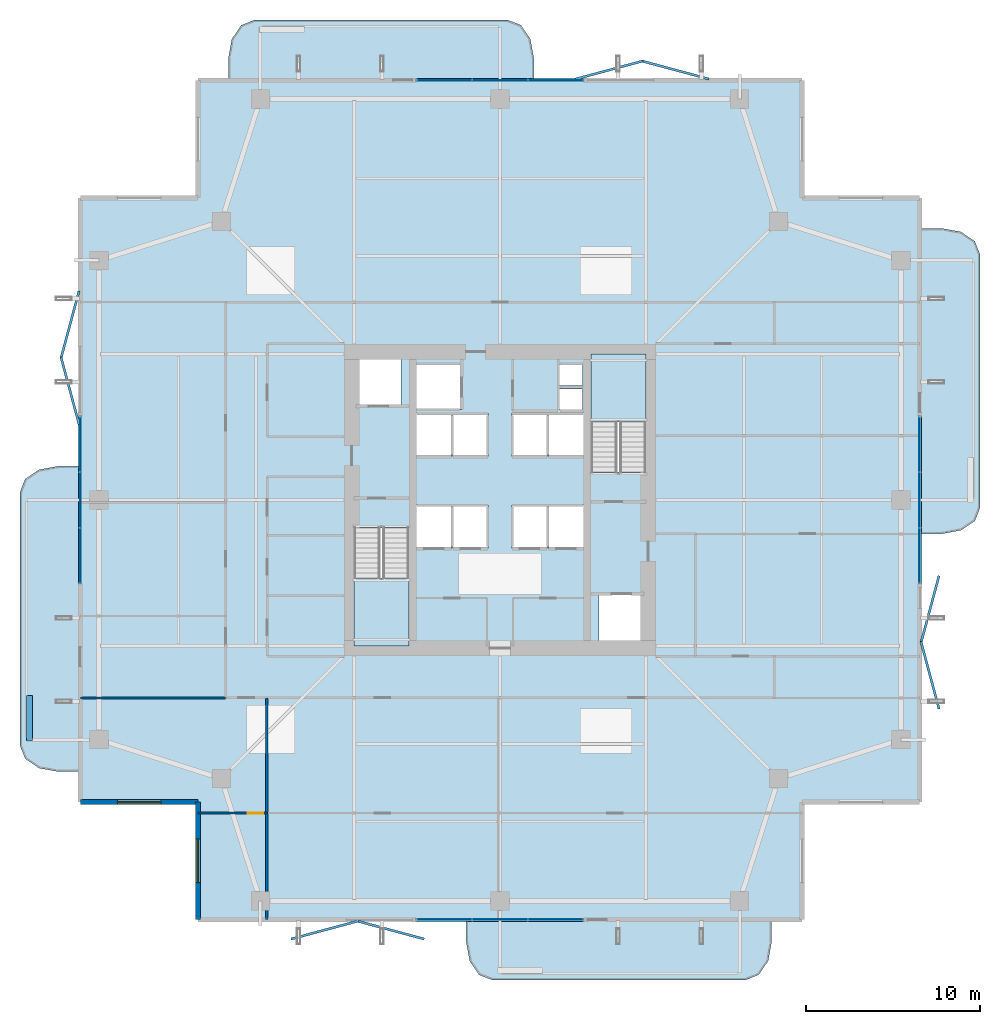
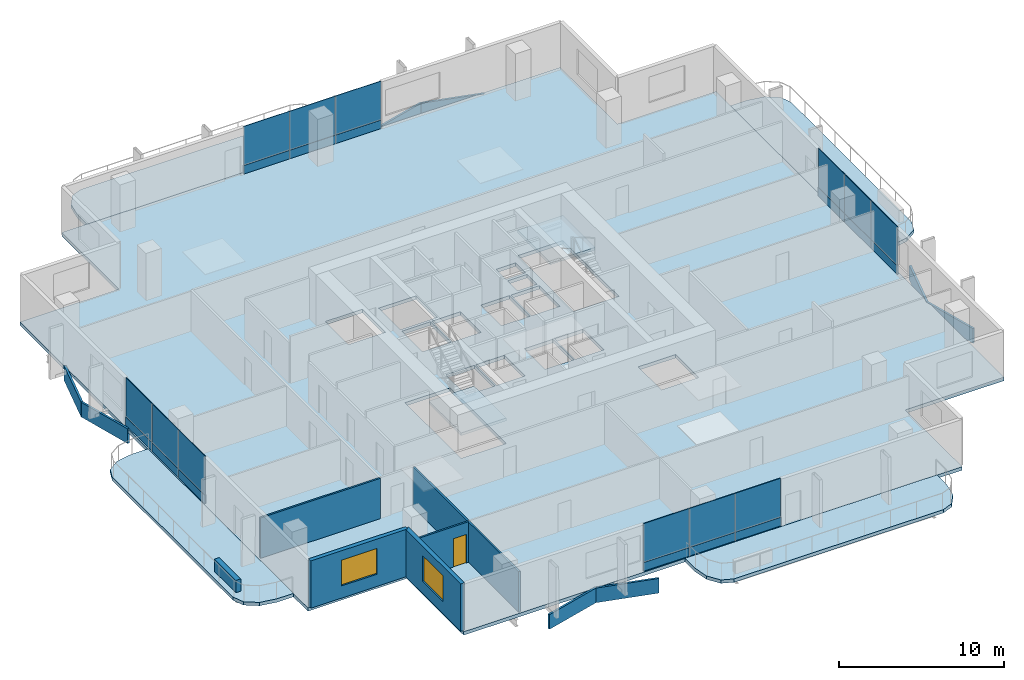
# One storey, part 17 of 24: 32 plates, 7 slabs, 6 walls, 2 windows, 1 door, 3 openings, 6 elements without a shape of their own.
"""IFC4 building model written with IfcOpenShell, lengths in metres."""

from ifc_helpers import new_model, si_unit, direction, frame, frame_2d, origin, origin_2d, place, context, subcontext, project, spatial, polyline, rectangle, outline, extrude, material, layer, layer_set, type_object, element, fill, aggregate, save


model = new_model("IFC4")

# Units and contexts
model_context = context("Model", 3, precision=1e-05, world=origin(), true_north=direction((0.0, 1.0)))
body_context = subcontext(model_context, "Body", "Model", "MODEL_VIEW")
ifc_project = project(units=[si_unit("LENGTHUNIT", "METRE"), si_unit("AREAUNIT", "SQUARE_METRE"), si_unit("VOLUMEUNIT", "CUBIC_METRE"), si_unit("PLANEANGLEUNIT", "RADIAN"), si_unit("MASSUNIT", "GRAM", prefix="KILO")], contexts=[model_context])

# Site, building, storey
site_placement = place(None, origin())
site = spatial("IfcSite", under=ifc_project, at=site_placement, CompositionType="ELEMENT")
building_placement = place(site_placement, origin())
building = spatial("IfcBuilding", under=site, at=building_placement, Name="Belovzor Exchange Tower", CompositionType="ELEMENT")
storey_placement = place(building_placement, frame((0.0, 0.0, 179.550048828125)))
storey = spatial("IfcBuildingStorey", under=building, at=storey_placement, Name="L44", CompositionType="ELEMENT", Elevation=179.550048828125)

# Slab
ifc_material_1 = material(Name="Concrete C40/50", Category="concrete")
ifc_layer_1 = layer(ifc_material_1, 0.2548828125)
ifc_layer_set_1 = layer_set([ifc_layer_1], Name="Concrete C40/50")
slab_type_1 = type_object("IfcSlabType", Name="Composite Waist Floor Deck Slab 255", PredefinedType="FLOOR", material=ifc_layer_set_1)
slab_1_placement = place(storey_placement, frame((0.0, 0.0, -0.255126953125)))
element("IfcSlab", 1, at=slab_1_placement, inside=storey, type_object=slab_type_1, Name="SL-F255 Structural Slab L44", PredefinedType="FLOOR", context=body_context, shape_type="SweptSolid", body=[
    extrude(outline(polyline([(11.39990234375, 4.5), (46.199951171875, 4.5), (46.199951171875, 11.39990234375), (53.10009765625, 11.39990234375), (53.10009765625, 46.199951171875), (46.199951171875, 46.199951171875), (46.199951171875, 53.10009765625), (11.39990234375, 53.10009765625), (11.39990234375, 46.199951171875), (4.5, 46.199951171875), (4.5, 11.39990234375), (11.39990234375, 11.39990234375), (11.39990234375, 4.5)]), holes=[polyline([(20.39990234375, 27.175048828125), (20.39990234375, 20.39990234375), (23.550048828125, 20.39990234375), (23.550048828125, 27.175048828125), (20.39990234375, 27.175048828125)]), polyline([(37.199951171875, 30.425048828125), (37.199951171875, 37.199951171875), (34.050048828125, 37.199951171875), (34.050048828125, 30.425048828125), (37.199951171875, 30.425048828125)]), polyline([(20.5, 34.199951171875), (23.10009765625, 34.199951171875), (23.10009765625, 37.0), (20.5, 37.0), (20.5, 34.199951171875)]), polyline([(34.5, 20.60009765625), (37.10009765625, 20.60009765625), (37.10009765625, 23.39990234375), (34.5, 23.39990234375), (34.5, 20.60009765625)]), polyline([(24.0, 34.0), (26.60009765625, 34.0), (26.60009765625, 36.60009765625), (24.0, 36.60009765625), (24.0, 34.0)]), polyline([(24.0, 26.0), (26.0, 26.0), (26.0, 28.5), (24.0, 28.5), (24.0, 26.0)]), polyline([(26.10009765625, 26.0), (28.10009765625, 26.0), (28.10009765625, 28.5), (26.10009765625, 28.5), (26.10009765625, 26.0)]), polyline([(29.5, 26.0), (31.5, 26.0), (31.5, 28.5), (29.5, 28.5), (29.5, 26.0)]), polyline([(31.60009765625, 26.0), (33.60009765625, 26.0), (33.60009765625, 28.5), (31.60009765625, 28.5), (31.60009765625, 26.0)]), polyline([(24.0, 31.300048828125), (26.0, 31.300048828125), (26.0, 33.800048828125), (24.0, 33.800048828125), (24.0, 31.300048828125)]), polyline([(26.10009765625, 31.300048828125), (28.10009765625, 31.300048828125), (28.10009765625, 33.800048828125), (26.10009765625, 33.800048828125), (26.10009765625, 31.300048828125)]), polyline([(29.5, 31.300048828125), (31.5, 31.300048828125), (31.5, 33.800048828125), (29.5, 33.800048828125), (29.5, 31.300048828125)]), polyline([(31.60009765625, 31.300048828125), (33.60009765625, 31.300048828125), (33.60009765625, 33.800048828125), (31.60009765625, 33.800048828125), (31.60009765625, 31.300048828125)]), polyline([(32.199951171875, 34.0), (33.550048828125, 34.0), (33.550048828125, 35.199951171875), (32.199951171875, 35.199951171875), (32.199951171875, 34.0)]), polyline([(32.199951171875, 35.39990234375), (33.550048828125, 35.39990234375), (33.550048828125, 36.60009765625), (32.199951171875, 36.60009765625), (32.199951171875, 35.39990234375)])]), origin(), (0.0, 0.0, 1.0), 0.255126953125),
])

# Curtain wall, plates
ifc_material_2 = material(Name="Anodised Aluminium Framing", Category="aluminium")
ifc_layer_2 = layer(ifc_material_2, 0.179931640625)
ifc_layer_set_2 = layer_set([ifc_layer_2], Name="Anodised Aluminium Framing")
curtain_wall_type = type_object("IfcCurtainWallType", Name="Recessed Loggia Low-Iron Triple-Glazed Curtain Wall", PredefinedType="NOTDEFINED", material=ifc_layer_set_2)
curtain_wall_1_placement = place(storey_placement, origin())
curtain_wall_1 = element("IfcCurtainWall", 2, at=curtain_wall_1_placement, inside=storey, type_object=curtain_wall_type, Name="CW3 Recessed Loggia Low-Iron Triple-Glazed Curtain Wall L44", PredefinedType="NOTDEFINED")
ifc_material_3 = material(Name="Solar-Control Triple Glazing", Category="glass")
ifc_layer_3 = layer(ifc_material_3, 0.0439453125)
ifc_layer_set_3 = layer_set([ifc_layer_3], Name="Solar-Control Triple Glazing")
plate_type_1 = type_object("IfcPlateType", Name="Insulated Solar Glazing Curtain Panel 44", PredefinedType="CURTAIN_PANEL", material=ifc_layer_set_3)
plate_1_placement = place(storey_placement, frame((32.0, 4.6298828125, 0.630859375), z_axis=(0.0, 0.0, 1.0), x_axis=(-1.0, 0.0, 0.0)))
plate_1 = element("IfcPlate", 3, at=plate_1_placement, type_object=plate_type_1, Name="GLZ-44 Glazed Curtain Panel 1", PredefinedType="CURTAIN_PANEL", context=body_context, shape_type="SweptSolid", body=[
    extrude(rectangle(XDim=3.18408203125, YDim=0.0439453125, at=origin_2d()), origin(), (0.0, 0.0, 1.0), 2.864013671875),
])
plate_2_placement = place(storey_placement, frame((28.800048828125, 4.6298828125, 0.630859375), z_axis=(0.0, 0.0, 1.0), x_axis=(-1.0, 0.0, 0.0)))
plate_2 = element("IfcPlate", 4, at=plate_2_placement, type_object=plate_type_1, Name="GLZ-44 Glazed Curtain Panel 2", PredefinedType="CURTAIN_PANEL", context=body_context, shape_type="SweptSolid", body=[
    extrude(rectangle(XDim=3.18408203125, YDim=0.0439453125, at=origin_2d()), origin(), (0.0, 0.0, 1.0), 2.864013671875),
])
plate_3_placement = place(storey_placement, frame((25.60009765625, 4.6298828125, 0.630859375), z_axis=(0.0, 0.0, 1.0), x_axis=(-1.0, 0.0, 0.0)))
plate_3 = element("IfcPlate", 5, at=plate_3_placement, type_object=plate_type_1, Name="GLZ-44 Glazed Curtain Panel 3", PredefinedType="CURTAIN_PANEL", context=body_context, shape_type="SweptSolid", body=[
    extrude(rectangle(XDim=3.18408203125, YDim=0.0439453125, at=origin_2d()), origin(), (0.0, 0.0, 1.0), 2.864013671875),
])

curtain_wall_2_placement = place(storey_placement, origin())
curtain_wall_2 = element("IfcCurtainWall", 6, at=curtain_wall_2_placement, inside=storey, type_object=curtain_wall_type, Name="CW3 Recessed Loggia Low-Iron Triple-Glazed Curtain Wall L44", PredefinedType="NOTDEFINED")
plate_4_placement = place(storey_placement, frame((25.60009765625, 52.969970703125, 0.630859375), z_axis=(0.0, 0.0, 1.0), x_axis=(1.0, 0.0, 0.0)))
plate_4 = element("IfcPlate", 7, at=plate_4_placement, type_object=plate_type_1, Name="GLZ-44 Glazed Curtain Panel 1", PredefinedType="CURTAIN_PANEL", context=body_context, shape_type="SweptSolid", body=[
    extrude(rectangle(XDim=3.18408203125, YDim=0.0439453125, at=origin_2d()), origin(), (0.0, 0.0, 1.0), 2.864013671875),
])
plate_5_placement = place(storey_placement, frame((28.800048828125, 52.969970703125, 0.630859375), z_axis=(0.0, 0.0, 1.0), x_axis=(1.0, 0.0, 0.0)))
plate_5 = element("IfcPlate", 8, at=plate_5_placement, type_object=plate_type_1, Name="GLZ-44 Glazed Curtain Panel 2", PredefinedType="CURTAIN_PANEL", context=body_context, shape_type="SweptSolid", body=[
    extrude(rectangle(XDim=3.18408203125, YDim=0.0439453125, at=origin_2d()), origin(), (0.0, 0.0, 1.0), 2.864013671875),
])
plate_6_placement = place(storey_placement, frame((32.0, 52.969970703125, 0.630859375), z_axis=(0.0, 0.0, 1.0), x_axis=(1.0, 0.0, 0.0)))
plate_6 = element("IfcPlate", 9, at=plate_6_placement, type_object=plate_type_1, Name="GLZ-44 Glazed Curtain Panel 3", PredefinedType="CURTAIN_PANEL", context=body_context, shape_type="SweptSolid", body=[
    extrude(rectangle(XDim=3.18408203125, YDim=0.0439453125, at=origin_2d()), origin(), (0.0, 0.0, 1.0), 2.864013671875),
])

curtain_wall_3_placement = place(storey_placement, origin())
curtain_wall_3 = element("IfcCurtainWall", 10, at=curtain_wall_3_placement, inside=storey, type_object=curtain_wall_type, Name="CW3 Recessed Loggia Low-Iron Triple-Glazed Curtain Wall L44", PredefinedType="NOTDEFINED")
plate_7_placement = place(storey_placement, frame((4.6298828125, 25.60009765625, 0.630859375), z_axis=(0.0, 0.0, 1.0), x_axis=(0.0, 1.0, 0.0)))
plate_7 = element("IfcPlate", 11, at=plate_7_placement, type_object=plate_type_1, Name="GLZ-44 Glazed Curtain Panel 1", PredefinedType="CURTAIN_PANEL", context=body_context, shape_type="SweptSolid", body=[
    extrude(rectangle(XDim=3.18408203125, YDim=0.0439453125, at=origin_2d()), origin(), (0.0, 0.0, 1.0), 2.864013671875),
])
plate_8_placement = place(storey_placement, frame((4.6298828125, 28.800048828125, 0.630859375), z_axis=(0.0, 0.0, 1.0), x_axis=(0.0, 1.0, 0.0)))
plate_8 = element("IfcPlate", 12, at=plate_8_placement, type_object=plate_type_1, Name="GLZ-44 Glazed Curtain Panel 2", PredefinedType="CURTAIN_PANEL", context=body_context, shape_type="SweptSolid", body=[
    extrude(rectangle(XDim=3.18408203125, YDim=0.0439453125, at=origin_2d()), origin(), (0.0, 0.0, 1.0), 2.864013671875),
])
plate_9_placement = place(storey_placement, frame((4.6298828125, 32.0, 0.630859375), z_axis=(0.0, 0.0, 1.0), x_axis=(0.0, 1.0, 0.0)))
plate_9 = element("IfcPlate", 13, at=plate_9_placement, type_object=plate_type_1, Name="GLZ-44 Glazed Curtain Panel 3", PredefinedType="CURTAIN_PANEL", context=body_context, shape_type="SweptSolid", body=[
    extrude(rectangle(XDim=3.18408203125, YDim=0.0439453125, at=origin_2d()), origin(), (0.0, 0.0, 1.0), 2.864013671875),
])

curtain_wall_4_placement = place(storey_placement, origin())
curtain_wall_4 = element("IfcCurtainWall", 14, at=curtain_wall_4_placement, inside=storey, type_object=curtain_wall_type, Name="CW3 Recessed Loggia Low-Iron Triple-Glazed Curtain Wall L44", PredefinedType="NOTDEFINED")
plate_10_placement = place(storey_placement, frame((52.969970703125, 32.0, 0.630859375), z_axis=(0.0, 0.0, 1.0), x_axis=(0.0, -1.0, 0.0)))
plate_10 = element("IfcPlate", 15, at=plate_10_placement, type_object=plate_type_1, Name="GLZ-44 Glazed Curtain Panel 1", PredefinedType="CURTAIN_PANEL", context=body_context, shape_type="SweptSolid", body=[
    extrude(rectangle(XDim=3.18408203125, YDim=0.0439453125, at=origin_2d()), origin(), (0.0, 0.0, 1.0), 2.864013671875),
])
plate_11_placement = place(storey_placement, frame((52.969970703125, 28.800048828125, 0.630859375), z_axis=(0.0, 0.0, 1.0), x_axis=(0.0, -1.0, 0.0)))
plate_11 = element("IfcPlate", 16, at=plate_11_placement, type_object=plate_type_1, Name="GLZ-44 Glazed Curtain Panel 2", PredefinedType="CURTAIN_PANEL", context=body_context, shape_type="SweptSolid", body=[
    extrude(rectangle(XDim=3.18408203125, YDim=0.0439453125, at=origin_2d()), origin(), (0.0, 0.0, 1.0), 2.864013671875),
])
plate_12_placement = place(storey_placement, frame((52.969970703125, 25.60009765625, 0.630859375), z_axis=(0.0, 0.0, 1.0), x_axis=(0.0, -1.0, 0.0)))
plate_12 = element("IfcPlate", 17, at=plate_12_placement, type_object=plate_type_1, Name="GLZ-44 Glazed Curtain Panel 3", PredefinedType="CURTAIN_PANEL", context=body_context, shape_type="SweptSolid", body=[
    extrude(rectangle(XDim=3.18408203125, YDim=0.0439453125, at=origin_2d()), origin(), (0.0, 0.0, 1.0), 2.864013671875),
])

# Plates
ifc_material_4 = material(Name="Extruded Architectural Terracotta", Category="masonry")
ifc_layer_4 = layer(ifc_material_4, 0.139892578125)
ifc_layer_set_4 = layer_set([ifc_layer_4], Name="Extruded Architectural Terracotta")
plate_type_2 = type_object("IfcPlateType", Name="Mid-Tower Folded Zigzag Terracotta Spandrel Louvre 120", PredefinedType="USERDEFINED", material=ifc_layer_set_4)
for number, where, z_axis, x_axis, name in (
    (18, (18.699951171875, 4.030029296875, -1.065185546875), (0.0, 0.0, 1.0), (0.965812803231, 0.259240485101, 0.0), "LVR-ZZ2 Zigzag Terracotta Spandrel Louvre L44 S1A"),
    (19, (22.5, 4.030029296875, -1.065185546875), (0.0, 0.0, 1.0), (0.965812803231, -0.259240485101, 0.0), "LVR-ZZ2 Zigzag Terracotta Spandrel Louvre L44 S1B"),
    (20, (53.570068359375, 18.699951171875, -1.065185546875), (0.0, 0.0, 1.0), (-0.259240485101, 0.965812803231, 0.0), "LVR-ZZ2 Zigzag Terracotta Spandrel Louvre L44 E1A"),
    (21, (53.570068359375, 22.5, -1.065185546875), (0.0, 0.0, 1.0), (0.259240485101, 0.965812803231, 0.0), "LVR-ZZ2 Zigzag Terracotta Spandrel Louvre L44 E1B"),
    (22, (35.10009765625, 53.570068359375, -1.065185546875), (0.0, 0.0, 1.0), (0.965812803231, 0.259240485101, 0.0), "LVR-ZZ2 Zigzag Terracotta Spandrel Louvre L44 N2A"),
    (23, (38.89990234375, 53.570068359375, -1.065185546875), (0.0, 0.0, 1.0), (0.965812803231, -0.259240485101, 0.0), "LVR-ZZ2 Zigzag Terracotta Spandrel Louvre L44 N2B"),
    (24, (4.030029296875, 35.10009765625, -1.065185546875), (0.0, 0.0, 1.0), (-0.259240485101, 0.965812803231, 0.0), "LVR-ZZ2 Zigzag Terracotta Spandrel Louvre L44 W2A"),
    (25, (4.030029296875, 38.89990234375, -1.065185546875), (0.0, 0.0, 1.0), (0.259240485101, 0.965812803231, 0.0), "LVR-ZZ2 Zigzag Terracotta Spandrel Louvre L44 W2B"),
):
    element("IfcPlate", number, at=place(storey_placement, frame(where, z_axis=z_axis, x_axis=x_axis)), inside=storey, type_object=plate_type_2, Name=name, ObjectType="SPANDREL_LOUVRE", PredefinedType="USERDEFINED", context=body_context, shape_type="SweptSolid", body=[
        extrude(rectangle(XDim=4.014892578125, YDim=0.139892578125, at=origin_2d()), origin(), (0.0, 0.0, 1.0), 1.080078125),
    ])

# Stair, slab
ifc_material_5 = material(Name="Concrete C40/50", Category="concrete")
stair_type = type_object("IfcStairType", Name="Reinforced Concrete Dogleg Escape Stair 1350", PredefinedType="HALF_TURN_STAIR", material=ifc_material_5)
stair_1_placement = place(storey_placement, origin())
stair_1 = element("IfcStair", 26, at=stair_1_placement, inside=storey, type_object=stair_type, Name="L44 ST-1", PredefinedType="HALF_TURN_STAIR")
ifc_material_6 = material(Name="Concrete C40/50", Category="concrete")
ifc_layer_5 = layer(ifc_material_6, 0.199951171875)
ifc_layer_set_5 = layer_set([ifc_layer_5], Name="Concrete C40/50")
slab_type_2 = type_object("IfcSlabType", Name="Reinforced Concrete Stair Half-Landing Slab 200", PredefinedType="LANDING", material=ifc_layer_set_5)
slab_2_placement = place(storey_placement, frame((0.0, 0.0, 1.675048828125)))
slab_2 = element("IfcSlab", 27, at=slab_2_placement, type_object=slab_type_2, Name="ST-1 landing 1", PredefinedType="LANDING", context=body_context, shape_type="SweptSolid", body=[
    extrude(outline(polyline([(20.39990234375, 24.300048828125), (20.39990234375, 20.39990234375), (23.550048828125, 20.39990234375), (23.550048828125, 24.300048828125), (20.39990234375, 24.300048828125)])), origin(), (0.0, 0.0, 1.0), 0.199951171875),
])
aggregate(stair_1, [slab_2])

stair_2_placement = place(storey_placement, origin())
stair_2 = element("IfcStair", 28, at=stair_2_placement, inside=storey, type_object=stair_type, Name="L44 ST-2", PredefinedType="HALF_TURN_STAIR")
slab_3_placement = place(storey_placement, frame((0.0, 0.0, 1.675048828125)))
slab_3 = element("IfcSlab", 29, at=slab_3_placement, type_object=slab_type_2, Name="ST-2 landing 1", PredefinedType="LANDING", context=body_context, shape_type="SweptSolid", body=[
    extrude(outline(polyline([(37.199951171875, 33.300048828125), (37.199951171875, 37.199951171875), (34.050048828125, 37.199951171875), (34.050048828125, 33.300048828125), (37.199951171875, 33.300048828125)])), origin(), (0.0, 0.0, 1.0), 0.199951171875),
])
aggregate(stair_2, [slab_3])

# Plate
ifc_material_7 = material(Name="Extruded Architectural Terracotta", Category="masonry")
ifc_layer_6 = layer(ifc_material_7, 0.090087890625)
ifc_layer_set_6 = layer_set([ifc_layer_6], Name="Extruded Architectural Terracotta")
plate_type_3 = type_object("IfcPlateType", Name="Terracotta Shadow-Box Spandrel Panel 90", PredefinedType="CURTAIN_PANEL", material=ifc_layer_set_6)
plate_13_placement = place(storey_placement, frame((32.0, 4.6298828125, 0.00048828125), z_axis=(0.0, 0.0, 1.0), x_axis=(-1.0, 0.0, 0.0)))
plate_13 = element("IfcPlate", 30, at=plate_13_placement, type_object=plate_type_3, Name="SPD-90 Spandrel Panel 1", PredefinedType="CURTAIN_PANEL", context=body_context, shape_type="SweptSolid", body=[
    extrude(rectangle(XDim=3.18408203125, YDim=0.090087890625, at=origin_2d()), origin(), (0.0, 0.0, 1.0), 0.626953125),
])

plate_14_placement = place(storey_placement, frame((28.800048828125, 4.6298828125, 0.00048828125), z_axis=(0.0, 0.0, 1.0), x_axis=(-1.0, 0.0, 0.0)))
plate_14 = element("IfcPlate", 31, at=plate_14_placement, type_object=plate_type_3, Name="SPD-90 Spandrel Panel 2", PredefinedType="CURTAIN_PANEL", context=body_context, shape_type="SweptSolid", body=[
    extrude(rectangle(XDim=3.18408203125, YDim=0.090087890625, at=origin_2d()), origin(), (0.0, 0.0, 1.0), 0.626953125),
])

plate_15_placement = place(storey_placement, frame((25.60009765625, 4.6298828125, 0.00048828125), z_axis=(0.0, 0.0, 1.0), x_axis=(-1.0, 0.0, 0.0)))
plate_15 = element("IfcPlate", 32, at=plate_15_placement, type_object=plate_type_3, Name="SPD-90 Spandrel Panel 3", PredefinedType="CURTAIN_PANEL", context=body_context, shape_type="SweptSolid", body=[
    extrude(rectangle(XDim=3.18408203125, YDim=0.090087890625, at=origin_2d()), origin(), (0.0, 0.0, 1.0), 0.626953125),
])

aggregate(curtain_wall_1, [plate_13, plate_1, plate_14, plate_2, plate_15, plate_3])

plate_16_placement = place(storey_placement, frame((25.60009765625, 52.969970703125, 0.00048828125), z_axis=(0.0, 0.0, 1.0), x_axis=(1.0, 0.0, 0.0)))
plate_16 = element("IfcPlate", 33, at=plate_16_placement, type_object=plate_type_3, Name="SPD-90 Spandrel Panel 1", PredefinedType="CURTAIN_PANEL", context=body_context, shape_type="SweptSolid", body=[
    extrude(rectangle(XDim=3.18408203125, YDim=0.090087890625, at=origin_2d()), origin(), (0.0, 0.0, 1.0), 0.626953125),
])

plate_17_placement = place(storey_placement, frame((28.800048828125, 52.969970703125, 0.00048828125), z_axis=(0.0, 0.0, 1.0), x_axis=(1.0, 0.0, 0.0)))
plate_17 = element("IfcPlate", 34, at=plate_17_placement, type_object=plate_type_3, Name="SPD-90 Spandrel Panel 2", PredefinedType="CURTAIN_PANEL", context=body_context, shape_type="SweptSolid", body=[
    extrude(rectangle(XDim=3.18408203125, YDim=0.090087890625, at=origin_2d()), origin(), (0.0, 0.0, 1.0), 0.626953125),
])

plate_18_placement = place(storey_placement, frame((32.0, 52.969970703125, 0.00048828125), z_axis=(0.0, 0.0, 1.0), x_axis=(1.0, 0.0, 0.0)))
plate_18 = element("IfcPlate", 35, at=plate_18_placement, type_object=plate_type_3, Name="SPD-90 Spandrel Panel 3", PredefinedType="CURTAIN_PANEL", context=body_context, shape_type="SweptSolid", body=[
    extrude(rectangle(XDim=3.18408203125, YDim=0.090087890625, at=origin_2d()), origin(), (0.0, 0.0, 1.0), 0.626953125),
])

aggregate(curtain_wall_2, [plate_16, plate_4, plate_17, plate_5, plate_18, plate_6])

plate_19_placement = place(storey_placement, frame((4.6298828125, 25.60009765625, 0.00048828125), z_axis=(0.0, 0.0, 1.0), x_axis=(0.0, 1.0, 0.0)))
plate_19 = element("IfcPlate", 36, at=plate_19_placement, type_object=plate_type_3, Name="SPD-90 Spandrel Panel 1", PredefinedType="CURTAIN_PANEL", context=body_context, shape_type="SweptSolid", body=[
    extrude(rectangle(XDim=3.18408203125, YDim=0.090087890625, at=origin_2d()), origin(), (0.0, 0.0, 1.0), 0.626953125),
])

plate_20_placement = place(storey_placement, frame((4.6298828125, 28.800048828125, 0.00048828125), z_axis=(0.0, 0.0, 1.0), x_axis=(0.0, 1.0, 0.0)))
plate_20 = element("IfcPlate", 37, at=plate_20_placement, type_object=plate_type_3, Name="SPD-90 Spandrel Panel 2", PredefinedType="CURTAIN_PANEL", context=body_context, shape_type="SweptSolid", body=[
    extrude(rectangle(XDim=3.18408203125, YDim=0.090087890625, at=origin_2d()), origin(), (0.0, 0.0, 1.0), 0.626953125),
])

plate_21_placement = place(storey_placement, frame((4.6298828125, 32.0, 0.00048828125), z_axis=(0.0, 0.0, 1.0), x_axis=(0.0, 1.0, 0.0)))
plate_21 = element("IfcPlate", 38, at=plate_21_placement, type_object=plate_type_3, Name="SPD-90 Spandrel Panel 3", PredefinedType="CURTAIN_PANEL", context=body_context, shape_type="SweptSolid", body=[
    extrude(rectangle(XDim=3.18408203125, YDim=0.090087890625, at=origin_2d()), origin(), (0.0, 0.0, 1.0), 0.626953125),
])

aggregate(curtain_wall_3, [plate_19, plate_7, plate_20, plate_8, plate_21, plate_9])

plate_22_placement = place(storey_placement, frame((52.969970703125, 32.0, 0.00048828125), z_axis=(0.0, 0.0, 1.0), x_axis=(0.0, -1.0, 0.0)))
plate_22 = element("IfcPlate", 39, at=plate_22_placement, type_object=plate_type_3, Name="SPD-90 Spandrel Panel 1", PredefinedType="CURTAIN_PANEL", context=body_context, shape_type="SweptSolid", body=[
    extrude(rectangle(XDim=3.18408203125, YDim=0.090087890625, at=origin_2d()), origin(), (0.0, 0.0, 1.0), 0.626953125),
])

plate_23_placement = place(storey_placement, frame((52.969970703125, 28.800048828125, 0.00048828125), z_axis=(0.0, 0.0, 1.0), x_axis=(0.0, -1.0, 0.0)))
plate_23 = element("IfcPlate", 40, at=plate_23_placement, type_object=plate_type_3, Name="SPD-90 Spandrel Panel 2", PredefinedType="CURTAIN_PANEL", context=body_context, shape_type="SweptSolid", body=[
    extrude(rectangle(XDim=3.18408203125, YDim=0.090087890625, at=origin_2d()), origin(), (0.0, 0.0, 1.0), 0.626953125),
])

plate_24_placement = place(storey_placement, frame((52.969970703125, 25.60009765625, 0.00048828125), z_axis=(0.0, 0.0, 1.0), x_axis=(0.0, -1.0, 0.0)))
plate_24 = element("IfcPlate", 41, at=plate_24_placement, type_object=plate_type_3, Name="SPD-90 Spandrel Panel 3", PredefinedType="CURTAIN_PANEL", context=body_context, shape_type="SweptSolid", body=[
    extrude(rectangle(XDim=3.18408203125, YDim=0.090087890625, at=origin_2d()), origin(), (0.0, 0.0, 1.0), 0.626953125),
])

aggregate(curtain_wall_4, [plate_22, plate_10, plate_23, plate_11, plate_24, plate_12])

# Slabs
ifc_material_8 = material(Name="Concrete C40/50", Category="concrete")
ifc_layer_7 = layer(ifc_material_8, 0.25)
ifc_layer_set_7 = layer_set([ifc_layer_7], Name="Concrete C40/50")
slab_type_3 = type_object("IfcSlabType", Name="Thermally Broken Planted Balcony Slab 250", PredefinedType="FLOOR", material=ifc_layer_set_7)
slab_4_placement = place(storey_placement, frame((0.0, 0.0, -0.25)))
element("IfcSlab", 42, at=slab_4_placement, inside=storey, type_object=slab_type_3, Name="SL-BAL220 Planted Balcony Loggia L44 South", PredefinedType="FLOOR", context=body_context, shape_type="SweptSolid", body=[
    extrude(outline(polyline([(26.85009765625, 4.514892578125), (26.85009765625, 3.35009765625), (27.051025390625, 2.25), (27.60009765625, 1.445068359375), (28.35009765625, 1.14990234375), (42.949951171875, 1.14990234375), (43.699951171875, 1.445068359375), (44.2490234375, 2.25), (44.449951171875, 3.35009765625), (44.449951171875, 4.514892578125), (26.85009765625, 4.514892578125)])), origin(), (0.0, 0.0, 1.0), 0.25),
])
slab_5_placement = place(storey_placement, frame((0.0, 0.0, -0.25)))
element("IfcSlab", 43, at=slab_5_placement, inside=storey, type_object=slab_type_3, Name="SL-BAL220 Planted Balcony Loggia L44 North", PredefinedType="FLOOR", context=body_context, shape_type="SweptSolid", body=[
    extrude(outline(polyline([(30.75, 53.0849609375), (30.75, 54.25), (30.549072265625, 55.35009765625), (30.0, 56.155029296875), (29.25, 56.449951171875), (14.64990234375, 56.449951171875), (13.89990234375, 56.155029296875), (13.35107421875, 55.35009765625), (13.14990234375, 54.25), (13.14990234375, 53.0849609375), (30.75, 53.0849609375)])), origin(), (0.0, 0.0, 1.0), 0.25),
])
slab_6_placement = place(storey_placement, frame((0.0, 0.0, -0.25)))
element("IfcSlab", 44, at=slab_6_placement, inside=storey, type_object=slab_type_3, Name="SL-BAL220 Planted Balcony Loggia L44 East", PredefinedType="FLOOR", context=body_context, shape_type="SweptSolid", body=[
    extrude(outline(polyline([(53.0849609375, 26.85009765625), (54.25, 26.85009765625), (55.35009765625, 27.051025390625), (56.155029296875, 27.60009765625), (56.449951171875, 28.35009765625), (56.449951171875, 42.949951171875), (56.155029296875, 43.699951171875), (55.35009765625, 44.2490234375), (54.25, 44.449951171875), (53.0849609375, 44.449951171875), (53.0849609375, 26.85009765625)])), origin(), (0.0, 0.0, 1.0), 0.25),
])
slab_7_placement = place(storey_placement, frame((0.0, 0.0, -0.25)))
element("IfcSlab", 45, at=slab_7_placement, inside=storey, type_object=slab_type_3, Name="SL-BAL220 Planted Balcony Loggia L44 West", PredefinedType="FLOOR", context=body_context, shape_type="SweptSolid", body=[
    extrude(outline(polyline([(4.514892578125, 30.75), (3.35009765625, 30.75), (2.25, 30.549072265625), (1.445068359375, 30.0), (1.14990234375, 29.25), (1.14990234375, 14.64990234375), (1.445068359375, 13.89990234375), (2.25, 13.35107421875), (3.35009765625, 13.14990234375), (4.514892578125, 13.14990234375), (4.514892578125, 30.75)])), origin(), (0.0, 0.0, 1.0), 0.25),
])

# Wall, opening, door
ifc_material_9 = material(Name="Acoustic Plasterboard on Galvanised Studs", Category="gypsum")
ifc_layer_8 = layer(ifc_material_9, 0.1201171875)
ifc_layer_set_8 = layer_set([ifc_layer_8], Name="Acoustic Plasterboard on Galvanised Studs")
wall_type_1 = type_object("IfcWallType", Name="Acoustic Double-Stud Partition Wall 120", PredefinedType="PARTITIONING", material=ifc_layer_set_8)
wall_1_placement = place(storey_placement, frame((11.39990234375, 10.76611328125, 0.0), z_axis=(0.0, 0.0, 1.0), x_axis=(1.0, 0.0, 0.0)))
wall_1 = element("IfcWall", 46, at=wall_1_placement, inside=storey, type_object=wall_type_1, Name="W-P120 Partition Wall W-L44-SHDIV-0", PredefinedType="PARTITIONING", context=body_context, shape_type="SweptSolid", body=[
    extrude(rectangle(XDim=3.965087890625, YDim=0.1201171875, at=frame_2d((1.982421875, 0.0))), origin(), (0.0, 0.0, 1.0), 2.97998046875),
])
opening_1_placement = place(wall_1_placement, frame((2.864990234375, 0.0, 0.0)))
opening_1 = element("IfcOpeningElement", 47, at=opening_1_placement, cuts=wall_1, Name="Opening D-INT-090", PredefinedType="OPENING", context=body_context, shape_type="SweptSolid", body=[
    extrude(rectangle(XDim=0.89990234375, YDim=2.10009765625, at=frame_2d((0.449951171875, 1.050048828125))), frame((0.0, 0.070068359375, 0.0), z_axis=(0.0, -1.0, 0.0), x_axis=(1.0, 0.0, 0.0)), (0.0, 0.0, 1.0), 0.14013671875),
])
ifc_material_10 = material(Name="Veneered Hardwood Acoustic Leaf", Category="wood")
door_type = type_object("IfcDoorType", Name="Trading Suite Acoustic Single Door 900x2100", OperationType="NOTDEFINED", PredefinedType="DOOR", material=ifc_material_10)
door_placement = place(opening_1_placement, origin())
door = element("IfcDoor", 48, at=door_placement, inside=storey, type_object=door_type, Name="D-INT-090 Trading Suite Acoustic Single Door 900x2100", OperationType="SINGLE_SWING_LEFT", OverallHeight=2.10009765625, OverallWidth=0.89990234375, PredefinedType="DOOR", context=body_context, shape_type="SweptSolid", body=[
    extrude(rectangle(XDim=0.89990234375, YDim=2.10009765625, at=frame_2d((0.449951171875, 1.050048828125))), frame((0.0, 0.02490234375, 0.0), z_axis=(0.0, -1.0, 0.0), x_axis=(1.0, 0.0, 0.0)), (0.0, 0.0, 1.0), 0.050048828125),
])
fill(opening_1, door)

# Walls
wall_2_placement = place(storey_placement, frame((15.364990234375, 4.6298828125, 0.0), z_axis=(0.0, 0.0, 1.0), x_axis=(0.0, 1.0, 0.0)))
element("IfcWall", 49, at=wall_2_placement, inside=storey, type_object=wall_type_1, Name="W-P120 Partition Wall W-L44-SDIV-1", PredefinedType="PARTITIONING", context=body_context, shape_type="SweptSolid", body=[
    extrude(rectangle(XDim=12.77001953125, YDim=0.1201171875, at=frame_2d((6.385009765625, 0.0))), origin(), (0.0, 0.0, 1.0), 2.97998046875),
])
wall_3_placement = place(storey_placement, frame((4.6298828125, 17.39990234375, 0.0), z_axis=(0.0, 0.0, 1.0), x_axis=(1.0, 0.0, 0.0)))
element("IfcWall", 50, at=wall_3_placement, inside=storey, type_object=wall_type_1, Name="W-P120 Partition Wall W-L44-END-SW", PredefinedType="PARTITIONING", context=body_context, shape_type="SweptSolid", body=[
    extrude(rectangle(XDim=8.3701171875, YDim=0.1201171875, at=frame_2d((4.18505859375, 0.0))), origin(), (0.0, 0.0, 1.0), 2.97998046875),
])

# Wall, opening, window
ifc_material_11 = material(Name="Precast concrete C40/50", Category="concrete")
ifc_layer_9 = layer(ifc_material_11, 0.280029296875)
ifc_layer_set_9 = layer_set([ifc_layer_9], Name="Precast concrete C40/50")
wall_type_2 = type_object("IfcWallType", Name="Precast Concrete Notched Corner Frame Wall 280", PredefinedType="SOLIDWALL", material=ifc_layer_set_9)
wall_4_placement = place(storey_placement, frame((11.39990234375, 4.6298828125, 0.0), z_axis=(0.0, 0.0, 1.0), x_axis=(0.0, 1.0, 0.0)))
wall_4 = element("IfcWall", 51, at=wall_4_placement, inside=storey, type_object=wall_type_2, Name="W-CRN280 Precast Concrete Notched Corner Frame Wall 280 L44", PredefinedType="SOLIDWALL", context=body_context, shape_type="SweptSolid", body=[
    extrude(rectangle(XDim=6.77001953125, YDim=0.280029296875, at=frame_2d((3.385009765625, 0.0))), origin(), (0.0, 0.0, 1.0), 3.494873046875),
])
opening_2_placement = place(wall_4_placement, frame((2.135009765625, 0.0, 0.89990234375)))
opening_2 = element("IfcOpeningElement", 52, at=opening_2_placement, cuts=wall_4, Name="Opening WN-CRN250", PredefinedType="OPENING", context=body_context, shape_type="SweptSolid", body=[
    extrude(rectangle(XDim=2.5, YDim=1.89990234375, at=frame_2d((1.25, 0.949951171875))), frame((0.0, 0.14990234375, 0.0), z_axis=(0.0, -1.0, 0.0), x_axis=(1.0, 0.0, 0.0)), (0.0, 0.0, 1.0), 0.300048828125),
])
ifc_material_12 = material(Name="Thermally Broken Aluminium and Triple Glazing", Category="aluminium")
window_type = type_object("IfcWindowType", Name="Streamline Moderne Corner Wrap Ribbon Window 2500x1900", PartitioningType="SINGLE_PANEL", PredefinedType="WINDOW", material=ifc_material_12)
window_1_placement = place(opening_2_placement, origin())
window_1 = element("IfcWindow", 53, at=window_1_placement, inside=storey, type_object=window_type, Name="WN-CRN250 Streamline Moderne Corner Wrap Ribbon Window 2500x1900", OverallHeight=1.89990234375, OverallWidth=2.5, PartitioningType="SINGLE_PANEL", PredefinedType="WINDOW", context=body_context, shape_type="SweptSolid", body=[
    extrude(rectangle(XDim=2.5, YDim=1.89990234375, at=frame_2d((1.25, 0.949951171875))), frame((0.0, 0.030029296875, 0.0), z_axis=(0.0, -1.0, 0.0), x_axis=(1.0, 0.0, 0.0)), (0.0, 0.0, 1.0), 0.06005859375),
])
fill(opening_2, window_1)

wall_5_placement = place(storey_placement, frame((11.39990234375, 11.39990234375, 0.0), z_axis=(0.0, 0.0, 1.0), x_axis=(-1.0, 0.0, 0.0)))
wall_5 = element("IfcWall", 54, at=wall_5_placement, inside=storey, type_object=wall_type_2, Name="W-CRN280 Precast Concrete Notched Corner Frame Wall 280 L44", PredefinedType="SOLIDWALL", context=body_context, shape_type="SweptSolid", body=[
    extrude(rectangle(XDim=6.77001953125, YDim=0.280029296875, at=frame_2d((3.385009765625, 0.0))), origin(), (0.0, 0.0, 1.0), 3.494873046875),
])
opening_3_placement = place(wall_5_placement, frame((2.135009765625, 0.0, 0.89990234375)))
opening_3 = element("IfcOpeningElement", 55, at=opening_3_placement, cuts=wall_5, Name="Opening WN-CRN250", PredefinedType="OPENING", context=body_context, shape_type="SweptSolid", body=[
    extrude(rectangle(XDim=2.5, YDim=1.89990234375, at=frame_2d((1.25, 0.949951171875))), frame((0.0, 0.14990234375, 0.0), z_axis=(0.0, -1.0, 0.0), x_axis=(1.0, 0.0, 0.0)), (0.0, 0.0, 1.0), 0.300048828125),
])
window_2_placement = place(opening_3_placement, origin())
window_2 = element("IfcWindow", 56, at=window_2_placement, inside=storey, type_object=window_type, Name="WN-CRN250 Streamline Moderne Corner Wrap Ribbon Window 2500x1900", OverallHeight=1.89990234375, OverallWidth=2.5, PartitioningType="SINGLE_PANEL", PredefinedType="WINDOW", context=body_context, shape_type="SweptSolid", body=[
    extrude(rectangle(XDim=2.5, YDim=1.89990234375, at=frame_2d((1.25, 0.949951171875))), frame((0.0, 0.030029296875, 0.0), z_axis=(0.0, -1.0, 0.0), x_axis=(1.0, 0.0, 0.0)), (0.0, 0.0, 1.0), 0.06005859375),
])
fill(opening_3, window_2)

# Wall
ifc_material_13 = material(Name="Precast concrete C40/50", Category="concrete")
ifc_layer_10 = layer(ifc_material_13, 0.35009765625)
ifc_layer_set_10 = layer_set([ifc_layer_10], Name="Precast concrete C40/50")
wall_type_3 = type_object("IfcWallType", Name="Precast Concrete Structural Tree Planter Trough 350", PredefinedType="PARAPET", material=ifc_layer_set_10)
wall_6_placement = place(storey_placement, frame((1.699951171875, 14.949951171875, 0.0), z_axis=(0.0, 0.0, 1.0), x_axis=(0.0, 1.0, 0.0)))
element("IfcWall", 57, at=wall_6_placement, inside=storey, type_object=wall_type_3, Name="PT-350 Precast Concrete Structural Tree Planter Trough 350 L44", PredefinedType="PARAPET", context=body_context, shape_type="SweptSolid", body=[
    extrude(rectangle(XDim=2.60009765625, YDim=0.35009765625, at=frame_2d((1.300048828125, 0.0))), origin(), (0.0, 0.0, 1.0), 0.89990234375),
])

save(model, "model.ifc")
